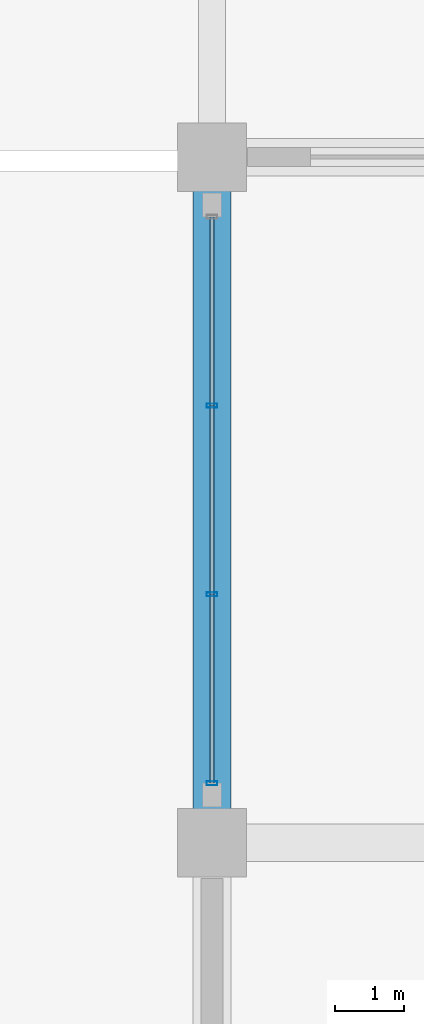
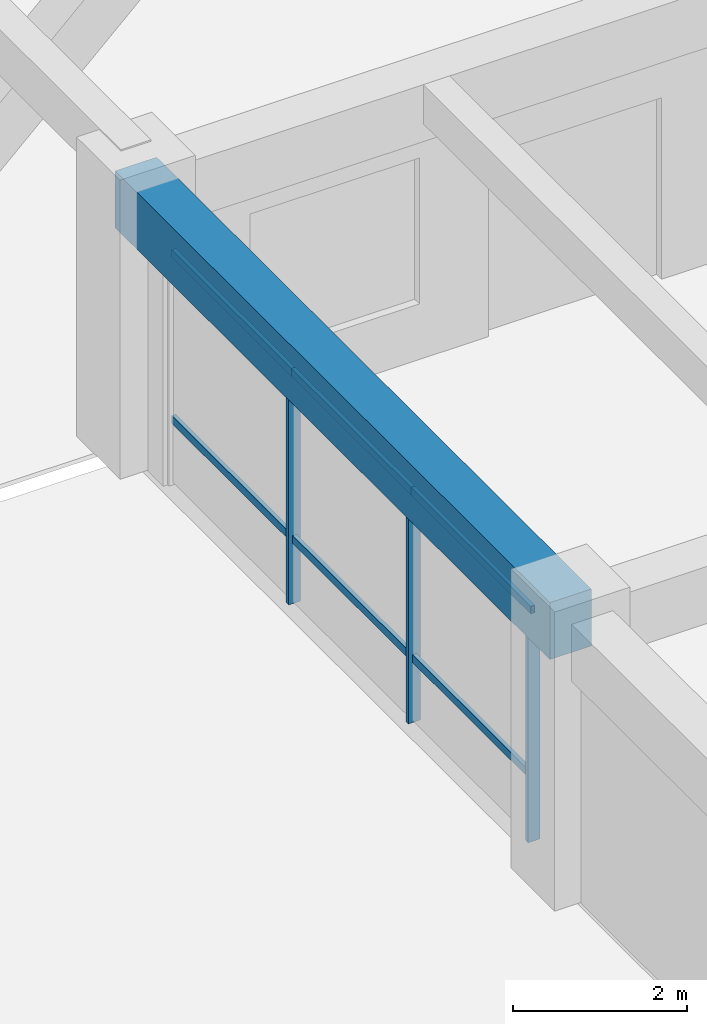
# One storey, part 50 of 109: 9 members, 1 beam, 1 element without a shape of its own.
"""IFC4 building model written with IfcOpenShell, lengths in metres."""

from ifc_helpers import new_model, si_unit, direction, frame, origin, origin_2d, place, context, subcontext, project, spatial, rectangle, hollow_rectangle, extrude, material, material_profile, profile_set, type_object, element, aggregate, save


model = new_model("IFC4")

# Units and contexts
model_context = context("Model", 3, precision=1e-05, world=origin(), true_north=direction((0.0, 1.0)))
body_context = subcontext(model_context, "Body", "Model", "MODEL_VIEW")
ifc_project = project(units=[si_unit("LENGTHUNIT", "METRE"), si_unit("AREAUNIT", "SQUARE_METRE"), si_unit("VOLUMEUNIT", "CUBIC_METRE"), si_unit("PLANEANGLEUNIT", "RADIAN"), si_unit("MASSUNIT", "GRAM", prefix="KILO")], contexts=[model_context])

# Site, building, storey
site_placement = place(None, origin())
site = spatial("IfcSite", under=ifc_project, at=site_placement, CompositionType="ELEMENT")
building_placement = place(site_placement, origin())
building = spatial("IfcBuilding", under=site, at=building_placement, Name="Ologun Quay Terminus", CompositionType="ELEMENT")
storey_placement = place(building_placement, origin())
storey = spatial("IfcBuildingStorey", under=building, at=storey_placement, Name="L00", CompositionType="ELEMENT", Elevation=0.0)

# Curtain wall, members
ifc_material_1 = material(Name="Aluminium 6063-T6", Category="aluminium")
curtain_wall_type = type_object("IfcCurtainWallType", Name="Rain-Garden East Courtyard Curtain Wall L00 9200x3750", PredefinedType="USERDEFINED", material=ifc_material_1)
curtain_wall_placement = place(storey_placement, origin())
curtain_wall = element("IfcCurtainWall", 1, at=curtain_wall_placement, inside=storey, type_object=curtain_wall_type, Name="CW-17 Curtain Wall CW-L00-123", ObjectType="UNITISED CURTAIN WALL", PredefinedType="USERDEFINED")
ifc_material_2 = material(Name="Aluminium 6063-T6", Category="aluminium")
ifc_material_profile_1 = material_profile(ifc_material_2, hollow_rectangle(XDim=0.06005859375, YDim=0.159912109375, WallThickness=0.00390625, at=origin_2d()), Name="ALU 160x60x4")
ifc_profile_set_1 = profile_set([ifc_material_profile_1], Name="Aluminium 6063-T6")
member_type_1 = type_object("IfcMemberType", Name="Courtyard Screen Mullion 160x65", PredefinedType="MULLION", material=ifc_profile_set_1)
member_1_placement = place(storey_placement, frame((115.0, 105.669921875, 0.0), z_axis=(0.0, 0.0, 1.0), x_axis=(0.0, 1.0, 0.0)))
member_1 = element("IfcMember", 2, at=member_1_placement, type_object=member_type_1, Name="CW-L00-123 Mullion 1", PredefinedType="MULLION", context=body_context, shape_type="SweptSolid", body=[
    extrude(hollow_rectangle(XDim=0.06005859375, YDim=0.159912109375, WallThickness=0.00390625, at=origin_2d()), origin(), (0.0, 0.0, 1.0), 3.929931640625),
])
member_2_placement = place(storey_placement, frame((115.0, 108.42333984375, 0.0), z_axis=(0.0, 0.0, 1.0), x_axis=(0.0, 1.0, 0.0)))
member_2 = element("IfcMember", 3, at=member_2_placement, type_object=member_type_1, Name="CW-L00-123 Mullion 2", PredefinedType="MULLION", context=body_context, shape_type="SweptSolid", body=[
    extrude(hollow_rectangle(XDim=0.06005859375, YDim=0.159912109375, WallThickness=0.00390625, at=origin_2d()), origin(), (0.0, 0.0, 1.0), 3.929931640625),
])
member_3_placement = place(storey_placement, frame((115.0, 111.1767578125, 0.0), z_axis=(0.0, 0.0, 1.0), x_axis=(0.0, 1.0, 0.0)))
member_3 = element("IfcMember", 4, at=member_3_placement, type_object=member_type_1, Name="CW-L00-123 Mullion 3", PredefinedType="MULLION", context=body_context, shape_type="SweptSolid", body=[
    extrude(hollow_rectangle(XDim=0.06005859375, YDim=0.159912109375, WallThickness=0.00390625, at=origin_2d()), origin(), (0.0, 0.0, 1.0), 3.929931640625),
])
ifc_material_3 = material(Name="Aluminium 6063-T6", Category="aluminium")
ifc_material_profile_2 = material_profile(ifc_material_3, hollow_rectangle(XDim=0.054931640625, YDim=0.110107421875, WallThickness=0.00390625, at=origin_2d()), Name="ALU 110x55x4")
ifc_profile_set_2 = profile_set([ifc_material_profile_2], Name="Aluminium 6063-T6")
member_type_2 = type_object("IfcMemberType", Name="Courtyard Screen Transom 110x55", PredefinedType="USERDEFINED", material=ifc_profile_set_2)
member_4_placement = place(storey_placement, frame((115.0, 105.669921875, 0.89990234375), z_axis=(0.0, 1.0, 0.0), x_axis=(-1.0, 0.0, 0.0)))
member_4 = element("IfcMember", 5, at=member_4_placement, type_object=member_type_2, Name="CW-L00-123 Transom B1-1", ObjectType="TRANSOM", PredefinedType="USERDEFINED", context=body_context, shape_type="SweptSolid", body=[
    extrude(hollow_rectangle(XDim=0.054931640625, YDim=0.110107421875, WallThickness=0.00390625, at=origin_2d()), origin(), (0.0, 0.0, 1.0), 2.75341796875),
])
member_5_placement = place(storey_placement, frame((115.0, 105.669921875, 3.22998046875), z_axis=(0.0, 1.0, 0.0), x_axis=(-1.0, 0.0, 0.0)))
member_5 = element("IfcMember", 6, at=member_5_placement, type_object=member_type_2, Name="CW-L00-123 Transom B1-2", ObjectType="TRANSOM", PredefinedType="USERDEFINED", context=body_context, shape_type="SweptSolid", body=[
    extrude(hollow_rectangle(XDim=0.054931640625, YDim=0.110107421875, WallThickness=0.00390625, at=origin_2d()), origin(), (0.0, 0.0, 1.0), 2.75341796875),
])
member_6_placement = place(storey_placement, frame((115.0, 108.42333984375, 0.89990234375), z_axis=(0.0, 1.0, 0.0), x_axis=(-1.0, 0.0, 0.0)))
member_6 = element("IfcMember", 7, at=member_6_placement, type_object=member_type_2, Name="CW-L00-123 Transom B2-1", ObjectType="TRANSOM", PredefinedType="USERDEFINED", context=body_context, shape_type="SweptSolid", body=[
    extrude(hollow_rectangle(XDim=0.054931640625, YDim=0.110107421875, WallThickness=0.00390625, at=origin_2d()), origin(), (0.0, 0.0, 1.0), 2.75341796875),
])
member_7_placement = place(storey_placement, frame((115.0, 108.42333984375, 3.22998046875), z_axis=(0.0, 1.0, 0.0), x_axis=(-1.0, 0.0, 0.0)))
member_7 = element("IfcMember", 8, at=member_7_placement, type_object=member_type_2, Name="CW-L00-123 Transom B2-2", ObjectType="TRANSOM", PredefinedType="USERDEFINED", context=body_context, shape_type="SweptSolid", body=[
    extrude(hollow_rectangle(XDim=0.054931640625, YDim=0.110107421875, WallThickness=0.00390625, at=origin_2d()), origin(), (0.0, 0.0, 1.0), 2.75341796875),
])
member_8_placement = place(storey_placement, frame((115.0, 111.1767578125, 0.89990234375), z_axis=(0.0, 1.0, 0.0), x_axis=(-1.0, 0.0, 0.0)))
member_8 = element("IfcMember", 9, at=member_8_placement, type_object=member_type_2, Name="CW-L00-123 Transom B3-1", ObjectType="TRANSOM", PredefinedType="USERDEFINED", context=body_context, shape_type="SweptSolid", body=[
    extrude(hollow_rectangle(XDim=0.054931640625, YDim=0.110107421875, WallThickness=0.00390625, at=origin_2d()), origin(), (0.0, 0.0, 1.0), 2.753173828125),
])
member_9_placement = place(storey_placement, frame((115.0, 111.1767578125, 3.22998046875), z_axis=(0.0, 1.0, 0.0), x_axis=(-1.0, 0.0, 0.0)))
member_9 = element("IfcMember", 10, at=member_9_placement, type_object=member_type_2, Name="CW-L00-123 Transom B3-2", ObjectType="TRANSOM", PredefinedType="USERDEFINED", context=body_context, shape_type="SweptSolid", body=[
    extrude(hollow_rectangle(XDim=0.054931640625, YDim=0.110107421875, WallThickness=0.00390625, at=origin_2d()), origin(), (0.0, 0.0, 1.0), 2.753173828125),
])
aggregate(curtain_wall, [member_1, member_2, member_3, member_4, member_5, member_6, member_7, member_8, member_9])

# Beam
ifc_material_4 = material(Name="Concrete C40/50", Category="concrete")
ifc_material_profile_3 = material_profile(ifc_material_4, rectangle(XDim=0.550048828125, YDim=0.800048828125, at=origin_2d()), Name="RC 550x800")
ifc_profile_set_3 = profile_set([ifc_material_profile_3], Name="Concrete C40/50")
beam_type = type_object("IfcBeamType", Name="Courtyard Wing Primary Girder 550x800", PredefinedType="BEAM", material=ifc_profile_set_3)
beam_placement = place(storey_placement, frame((115.0, 104.800048828125, 3.550048828125), z_axis=(0.0, 1.0, 0.0), x_axis=(-1.0, 0.0, 0.0)))
element("IfcBeam", 11, at=beam_placement, inside=storey, type_object=beam_type, Name="B4 Beam 11/J L00", PredefinedType="BEAM", context=body_context, shape_type="SweptSolid", body=[
    extrude(rectangle(XDim=0.550048828125, YDim=0.800048828125, at=origin_2d()), origin(), (0.0, 0.0, 1.0), 10.0),
])

save(model, "model.ifc")
